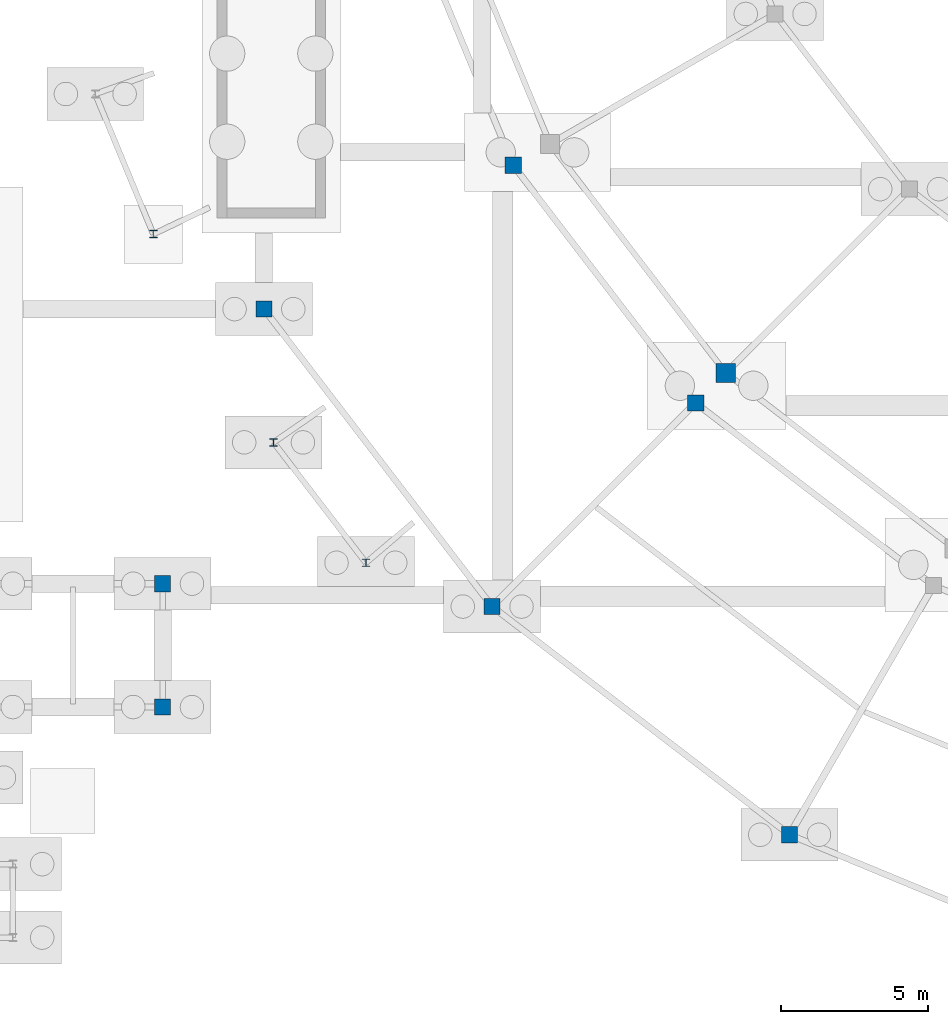
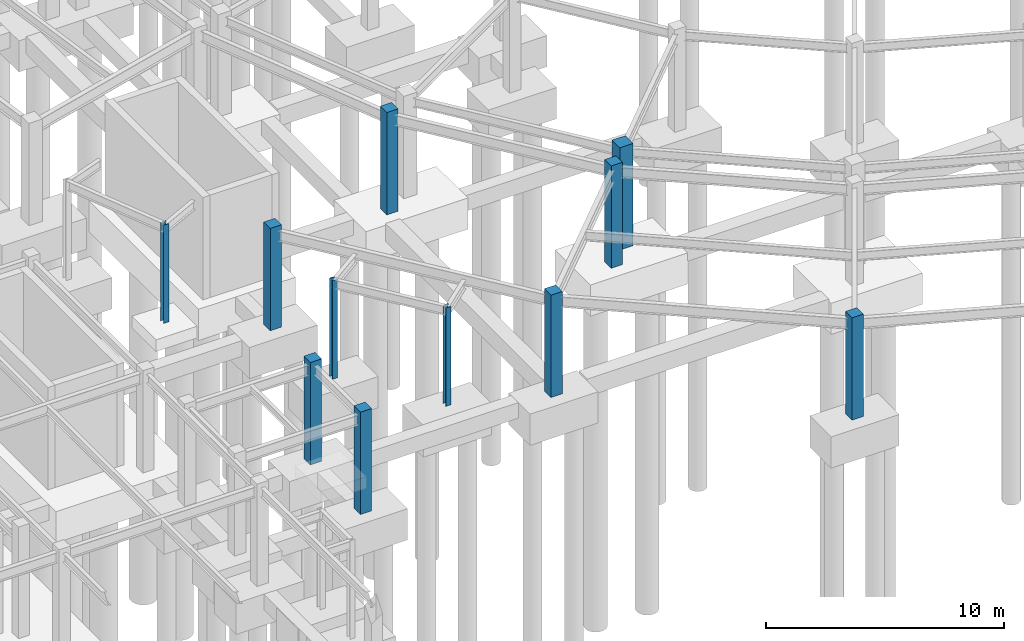
# One storey, part 11 of 55: 11 columns.
"""IFC4 building model written with IfcOpenShell, lengths in metres."""

import ifcopenshell
import ifcopenshell.guid

model = None  # the IFC model being written
_history = None  # IfcOwnerHistory: only IFC2X3 demands one
_inside = {}  # id of a spatial element -> (the spatial element, [elements in it])
_under = {}  # id of a project, library or spatial element -> (it, [spatial elements below it])
_declared = {}  # id of a project -> (the project, [libraries it declares])
_typed = {}  # id of a type object -> (the type object, [elements of that type])
_made_of = {}  # id of a material, layer set ... -> (it, [elements and type objects made of it])


def new_model(schema):
    """Start an empty IFC model of exactly this schema.

    Asked for "IFC4X3", IfcOpenShell would pick the latest addendum, in which some entities
    have other attributes; the version numbers below select the first issue.
    IFC2X3 requires an IfcOwnerHistory on every rooted entity: one is made here for all.
    """
    global model, _history
    if schema == "IFC4X3":
        model = ifcopenshell.file(schema_version=(4, 3, 0, 0))
    else:
        model = ifcopenshell.file(schema=schema)
    _inside.clear()
    _under.clear()
    _declared.clear()
    _typed.clear()
    _made_of.clear()
    _history = None
    if model.schema == "IFC2X3":
        org = make("IfcOrganization", Name="unknown")
        user = make(
            "IfcPersonAndOrganization",
            ThePerson=make("IfcPerson", FamilyName="unknown"),
            TheOrganization=org,
        )
        app = make(
            "IfcApplication",
            ApplicationDeveloper=org,
            Version="unknown",
            ApplicationFullName="unknown",
            ApplicationIdentifier="unknown",
        )
        _history = make(
            "IfcOwnerHistory",
            OwningUser=user,
            OwningApplication=app,
            ChangeAction="ADDED",
            CreationDate=0,
        )
    return model


def make(cls, **values):
    """One entity of the class cls with the attributes given. An attribute that is None is left unset."""
    return model.create_entity(
        cls, **{name: value for name, value in values.items() if value is not None}
    )


def rooted(cls, **values):
    """An entity with a GlobalId (a new one), such as an element, a storey or a relation."""
    return make(cls, GlobalId=ifcopenshell.guid.new(), OwnerHistory=_history, **values)


def si_unit(unit_type, name, prefix=None):
    """IfcSIUnit, for example si_unit("LENGTHUNIT", "METRE", prefix="MILLI")."""
    return make("IfcSIUnit", UnitType=unit_type, Prefix=prefix, Name=name)


def assignment(units):
    """IfcUnitAssignment: the units of a project."""
    return None if units is None else make("IfcUnitAssignment", Units=units)


def point(xyz):
    """IfcCartesianPoint."""
    return None if xyz is None else make("IfcCartesianPoint", Coordinates=xyz)


def direction(xyz):
    """IfcDirection."""
    return None if xyz is None else make("IfcDirection", DirectionRatios=xyz)


def frame(location, z_axis=None, x_axis=None):
    """IfcAxis2Placement3D, a coordinate frame: its origin and axes. An axis left out is left unset."""
    return make(
        "IfcAxis2Placement3D",
        Location=point(location),
        Axis=direction(z_axis),
        RefDirection=direction(x_axis),
    )


def frame_2d(location, x_axis=None):
    """IfcAxis2Placement2D, a coordinate frame in the plane: its origin and x axis."""
    return make(
        "IfcAxis2Placement2D", Location=point(location), RefDirection=direction(x_axis)
    )


def origin():
    """The frame at (0, 0, 0) with its axes left unset."""
    return frame((0.0, 0.0, 0.0))


def origin_2d():
    """The frame at (0, 0) in the plane with its x axis left unset."""
    return frame_2d((0.0, 0.0))


def place(relative_to, where):
    """IfcLocalPlacement: puts the frame where relative to a parent placement (None: the world)."""
    return make(
        "IfcLocalPlacement", PlacementRelTo=relative_to, RelativePlacement=where
    )


def context(
    kind, dimensions, precision=None, world=None, true_north=None, identifier=None
):
    """IfcGeometricRepresentationContext, for example the 3D "Model" context."""
    return make(
        "IfcGeometricRepresentationContext",
        ContextIdentifier=identifier,
        ContextType=kind,
        CoordinateSpaceDimension=dimensions,
        Precision=precision,
        WorldCoordinateSystem=world,
        TrueNorth=true_north,
    )


def subcontext(parent, identifier, kind, view, scale=None):
    """IfcGeometricRepresentationSubContext, for example "Body" below "Model"."""
    return make(
        "IfcGeometricRepresentationSubContext",
        ContextIdentifier=identifier,
        ContextType=kind,
        ParentContext=parent,
        TargetScale=scale,
        TargetView=view,
    )


def project(units=None, contexts=None):
    """IfcProject with its units and contexts."""
    return rooted(
        "IfcProject",
        Name="project",
        RepresentationContexts=contexts,
        UnitsInContext=assignment(units),
    )


def spatial(cls, under=None, at=None, **own):
    """A site, building, storey or space (cls), placed at a placement, below another one or the project."""
    s = rooted(cls, ObjectPlacement=at, **own)
    if under is not None:
        _under.setdefault(under.id(), (under, []))[1].append(s)
    return s


def profile(cls, at=None, kind="AREA", **sizes):
    """A parametric profile (cls). Its sizes go by their IFC names, for example OverallWidth=200.0."""
    return make(cls, ProfileType=kind, Position=at, **sizes)


def rectangle(**sizes):
    """IfcRectangleProfileDef."""
    return profile("IfcRectangleProfileDef", **sizes)


def i_section(**sizes):
    """IfcIShapeProfileDef."""
    return profile("IfcIShapeProfileDef", **sizes)


def extrude(swept, where, along, depth):
    """IfcExtrudedAreaSolid: the profile swept, set in the frame where, extruded along a direction by depth."""
    return make(
        "IfcExtrudedAreaSolid",
        SweptArea=swept,
        Position=where,
        ExtrudedDirection=direction(along),
        Depth=depth,
    )


def shape(context_of_items, identifier, shape_type, items):
    """IfcShapeRepresentation: the items that make up one representation, for example the "Body"."""
    return make(
        "IfcShapeRepresentation",
        ContextOfItems=context_of_items,
        RepresentationIdentifier=identifier,
        RepresentationType=shape_type,
        Items=items,
    )


def material(Name=None, Category=None):
    """IfcMaterial."""
    return make("IfcMaterial", Name=Name, Category=Category)


def material_profile(
    of_material, cross_section, Name=None, Category=None, Priority=None
):
    """IfcMaterialProfile: a cross section and its material."""
    return make(
        "IfcMaterialProfile",
        Name=Name,
        Material=of_material,
        Profile=cross_section,
        Priority=Priority,
        Category=Category,
    )


def profile_set(profiles, Name=None, composite=None):
    """IfcMaterialProfileSet."""
    return make(
        "IfcMaterialProfileSet",
        Name=Name,
        MaterialProfiles=profiles,
        CompositeProfile=composite,
    )


def made_of(thing, what):
    """Note that an element or type object is made of a material, layer set ...; save() writes the relation."""
    if what is not None:
        _made_of.setdefault(what.id(), (what, []))[1].append(thing)
    return thing


def type_object(cls, material=None, **own):
    """A type object (cls), such as IfcWallType, which elements share."""
    return made_of(rooted(cls, **own), material)


def element(
    cls,
    number,
    at=None,
    inside=None,
    cuts=None,
    type_object=None,
    material=None,
    context=None,
    identifier="Body",
    shape_type=None,
    held_by="IfcProductDefinitionShape",
    body=None,
    shapes=None,
    **own,
):
    """One element of the class cls, such as IfcWall. Its Tag is "e" and its number.

    at: its placement. inside: the storey or other place that contains it. cuts: it is an
    opening in that element (IfcRelVoidsElement). A single representation is given by context,
    identifier, shape_type and body (its items); several are given by shapes. held_by: the class
    of the entity that holds the representations. save() writes the other relations.
    """
    e = rooted(cls, Tag="e%d" % number, ObjectPlacement=at, **own)
    if body is not None:
        shapes = [shape(context, identifier, shape_type, body)]
    if shapes is not None:
        e.Representation = make(held_by, Representations=shapes)
    if inside is not None:
        _inside.setdefault(inside.id(), (inside, []))[1].append(e)
    if cuts is not None:
        rooted(
            "IfcRelVoidsElement", RelatingBuildingElement=cuts, RelatedOpeningElement=e
        )
    if type_object is not None:
        _typed.setdefault(type_object.id(), (type_object, []))[1].append(e)
    return made_of(e, material)


def aggregate(whole, parts):
    """IfcRelAggregates: a whole, such as a stair, and the parts it consists of."""
    return rooted("IfcRelAggregates", RelatingObject=whole, RelatedObjects=parts)


def save(model, path):
    """Write the relations noted so far, then the file.

    IfcRelAggregates (storeys below a building ...), IfcRelContainedInSpatialStructure (elements
    in a storey), IfcRelDefinesByType, IfcRelAssociatesMaterial and IfcRelDeclares: one each for
    every whole, place, type object, material and project.
    """
    for whole, parts in _under.values():
        aggregate(whole, parts)
    for where, things in _inside.values():
        rooted(
            "IfcRelContainedInSpatialStructure",
            RelatedElements=things,
            RelatingStructure=where,
        )
    for kind, things in _typed.values():
        rooted("IfcRelDefinesByType", RelatedObjects=things, RelatingType=kind)
    for what, things in _made_of.values():
        rooted("IfcRelAssociatesMaterial", RelatedObjects=things, RelatingMaterial=what)
    for by, libraries in _declared.values():
        rooted("IfcRelDeclares", RelatingContext=by, RelatedDefinitions=libraries)
    model.write(path)


model = new_model("IFC4")

# Units and contexts
model_context = context("Model", 3, precision=1e-05, world=origin(), true_north=direction((0.0, 1.0)))
body_context = subcontext(model_context, "Body", "Model", "MODEL_VIEW")
ifc_project = project(units=[si_unit("LENGTHUNIT", "METRE"), si_unit("AREAUNIT", "SQUARE_METRE"), si_unit("VOLUMEUNIT", "CUBIC_METRE"), si_unit("PLANEANGLEUNIT", "RADIAN"), si_unit("MASSUNIT", "GRAM", prefix="KILO")], contexts=[model_context])

# Site, building, storey
site_placement = place(None, origin())
site = spatial("IfcSite", under=ifc_project, at=site_placement, CompositionType="ELEMENT")
building_placement = place(site_placement, origin())
building = spatial("IfcBuilding", under=site, at=building_placement, Name="Almandine Court Research Institute", CompositionType="ELEMENT")
storey_placement = place(building_placement, frame((0.0, 0.0, -5.25)))
storey = spatial("IfcBuildingStorey", under=building, at=storey_placement, Name="B1", CompositionType="ELEMENT", Elevation=-5.25)

# Columns
ifc_material_1 = material(Name="Concrete C40/50", Category="concrete")
ifc_material_profile_1 = material_profile(ifc_material_1, rectangle(XDim=0.64990234375, YDim=0.64990234375, at=origin_2d()), Name="RC 650x650")
ifc_profile_set_1 = profile_set([ifc_material_profile_1], Name="Concrete C40/50")
column_type_1 = type_object("IfcColumnType", Name="Col-C-RC2", PredefinedType="COLUMN", material=ifc_profile_set_1)
column_placement = place(storey_placement, frame((60.376953125, 29.376953125, 0.0), z_axis=(0.0, 0.0, 1.0), x_axis=(1.0, 0.0, 0.0)))
element("IfcColumn", 1, at=column_placement, inside=storey, type_object=column_type_1, Name="B1 V2 Column V2-OUT-S15", PredefinedType="COLUMN", context=body_context, shape_type="SweptSolid", body=[
    extrude(rectangle(XDim=0.64990234375, YDim=0.64990234375, at=origin_2d()), origin(), (0.0, 0.0, 1.0), 5.25),
])
ifc_material_profile_2 = material_profile(ifc_material_1, rectangle(XDim=0.550048828125, YDim=0.550048828125, at=origin_2d()), Name="RC 550x550")
ifc_profile_set_2 = profile_set([ifc_material_profile_2], Name="Concrete C40/50")
column_type_2 = type_object("IfcColumnType", Name="Col-C-RC3", PredefinedType="COLUMN", material=ifc_profile_set_2)
for number, where, z_axis, x_axis, name in (
    (2, (41.199951171875, 18.0, 0.0), (0.0, 0.0, 1.0), (1.0, 0.0, 0.0), "B1 DAL-SW Column DAL-SW-X2Y1"),
    (3, (41.199951171875, 22.199951171875, 0.0), (0.0, 0.0, 1.0), (1.0, 0.0, 0.0), "B1 DAL-SW Column DAL-SW-X2Y2"),
    (4, (53.137939453125, 36.449951171875, 0.0), (0.0, 0.0, 1.0), (1.0, 0.0, 0.0), "B1 V5 Column V5-IN-S14"),
    (5, (44.65087890625, 31.550048828125, 0.0), (0.0, 0.0, 1.0), (1.0, 0.0, 0.0), "B1 V5 Column V5-OUT-S14"),
    (6, (59.35205078125, 28.35205078125, 0.0), (0.0, 0.0, 1.0), (1.0, 0.0, 0.0), "B1 V5 Column V5-IN-S15"),
    (7, (52.422119140625, 21.422119140625, 0.0), (0.0, 0.0, 1.0), (1.0, 0.0, 0.0), "B1 V5 Column V5-OUT-S15"),
    (8, (62.550048828125, 13.65087890625, 0.0), (0.0, 0.0, 1.0), (1.0, 0.0, 0.0), "B1 V5 Column V5-OUT-S16"),
):
    element("IfcColumn", number, at=place(storey_placement, frame(where, z_axis=z_axis, x_axis=x_axis)), inside=storey, type_object=column_type_2, Name=name, PredefinedType="COLUMN", context=body_context, shape_type="SweptSolid", body=[
        extrude(rectangle(XDim=0.550048828125, YDim=0.550048828125, at=origin_2d()), origin(), (0.0, 0.0, 1.0), 5.25),
    ])
ifc_material_2 = material(Name="Steel ASTM A992 Grade 50", Category="steel")
ifc_material_profile_3 = material_profile(ifc_material_2, i_section(OverallWidth=0.25390625, OverallDepth=0.2529296875, WebThickness=0.009033203125, FlangeThickness=0.013916015625, at=origin_2d()), Name="W250x73")
ifc_profile_set_3 = profile_set([ifc_material_profile_3], Name="Steel ASTM A992 Grade 50")
column_type_3 = type_object("IfcColumnType", Name="Col-C-W10", PredefinedType="COLUMN", material=ifc_profile_set_3)
for number, where, z_axis, x_axis, name in (
    (9, (40.885009765625, 34.10302734375, 0.0), (0.0, 0.0, 1.0), (1.0, 0.0, 0.0), "B1 Exterior Threshold Support Column PAD-DRUM-S13-C2"),
    (10, (44.97900390625, 27.011962890625, 0.0), (0.0, 0.0, 1.0), (1.0, 0.0, 0.0), "B1 Exterior Threshold Support Column PAD-DRUM-S14-C1"),
    (11, (48.123046875, 22.9130859375, 0.0), (0.0, 0.0, 1.0), (1.0, 0.0, 0.0), "B1 Exterior Threshold Support Column PAD-DRUM-S14-C2"),
):
    element("IfcColumn", number, at=place(storey_placement, frame(where, z_axis=z_axis, x_axis=x_axis)), inside=storey, type_object=column_type_3, Name=name, PredefinedType="COLUMN", context=body_context, shape_type="SweptSolid", body=[
        extrude(i_section(OverallWidth=0.25390625, OverallDepth=0.2529296875, WebThickness=0.009033203125, FlangeThickness=0.013916015625, at=origin_2d()), origin(), (0.0, 0.0, 1.0), 5.050048828125),
    ])

save(model, "model.ifc")
